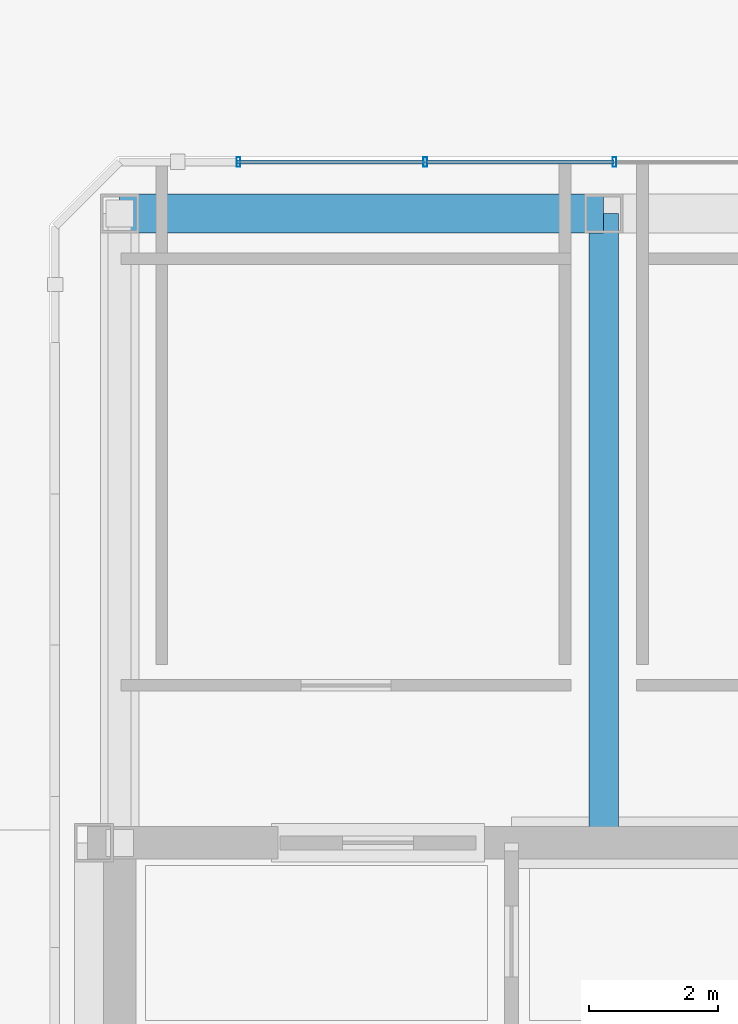
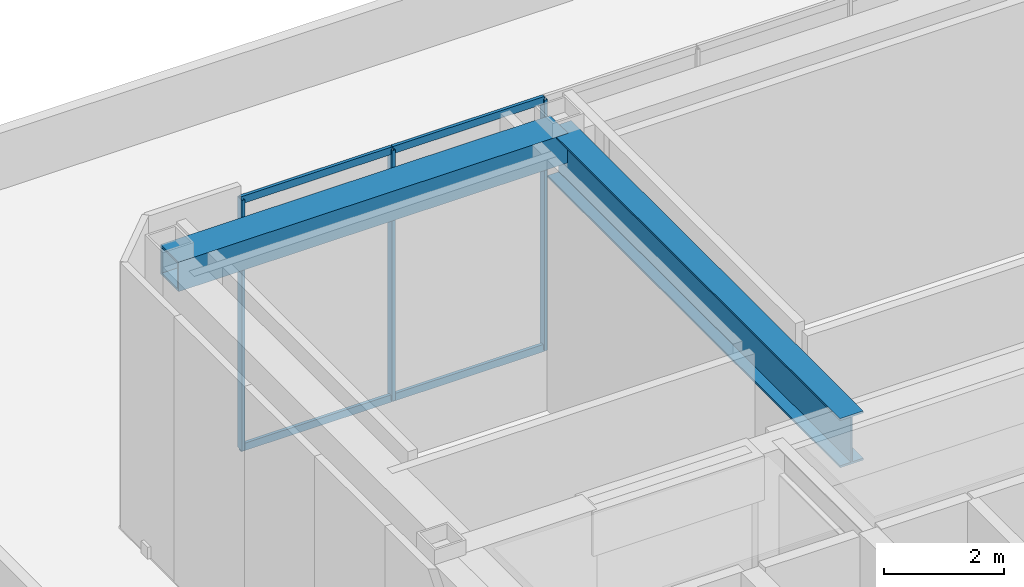
# One storey, part 2 of 11: 7 members, 2 beams, 1 element without a shape of its own.
"""IFC4 building model written with IfcOpenShell, lengths in metres."""

from ifc_helpers import new_model, si_unit, direction, frame, origin, origin_2d, place, context, subcontext, project, spatial, hollow_rectangle, i_section, extrude, material, material_profile, profile_set, type_object, element, aggregate, save


model = new_model("IFC4")

# Units and contexts
model_context = context("Model", 3, precision=1e-05, world=origin(), true_north=direction((0.0, 1.0)))
body_context = subcontext(model_context, "Body", "Model", "MODEL_VIEW")
ifc_project = project(units=[si_unit("LENGTHUNIT", "METRE"), si_unit("AREAUNIT", "SQUARE_METRE"), si_unit("VOLUMEUNIT", "CUBIC_METRE"), si_unit("PLANEANGLEUNIT", "RADIAN"), si_unit("MASSUNIT", "GRAM", prefix="KILO")], contexts=[model_context])

# Site, building, storey
site_placement = place(None, origin())
site = spatial("IfcSite", under=ifc_project, at=site_placement, CompositionType="ELEMENT")
building_placement = place(site_placement, origin())
building = spatial("IfcBuilding", under=site, at=building_placement, Name="Ventersveld Concourse Tower", CompositionType="ELEMENT")
storey_placement = place(building_placement, frame((0.0, 0.0, 366.64990234375)))
storey = spatial("IfcBuildingStorey", under=building, at=storey_placement, Name="L90", CompositionType="ELEMENT", Elevation=366.64990234375)

# Curtain wall, members
ifc_material_1 = material(Name="Anodised aluminium EN AW-6063-T6", Category="aluminium")
curtain_wall_type = type_object("IfcCurtainWallType", Name="CW-CRN-6", PredefinedType="NOTDEFINED", material=ifc_material_1)
curtain_wall_placement = place(storey_placement, origin())
curtain_wall = element("IfcCurtainWall", 1, at=curtain_wall_placement, inside=storey, type_object=curtain_wall_type, Name="L90 L90 Crown North Glazed Curtain Wall", PredefinedType="NOTDEFINED")
ifc_material_profile_1 = material_profile(ifc_material_1, hollow_rectangle(XDim=0.06005859375, YDim=0.14990234375, WallThickness=0.00390625, at=origin_2d()), Name="ALU 150x60x4")
ifc_profile_set_1 = profile_set([ifc_material_profile_1], Name="Anodised aluminium EN AW-6063-T6")
member_type_1 = type_object("IfcMemberType", Name="CWM-150x65", PredefinedType="MULLION", material=ifc_profile_set_1)
member_1_placement = place(storey_placement, frame((21.416748046875, 22.0, 0.0), z_axis=(0.0, 0.0, 1.0), x_axis=(1.0, 0.0, 0.0)))
member_1 = element("IfcMember", 2, at=member_1_placement, type_object=member_type_1, Name="CW-L90-N Mullion 08", PredefinedType="MULLION", context=body_context, shape_type="SweptSolid", body=[
    extrude(hollow_rectangle(XDim=0.06005859375, YDim=0.14990234375, WallThickness=0.00390625, at=origin_2d()), origin(), (0.0, 0.0, 1.0), 5.10009765625),
])
member_2_placement = place(storey_placement, frame((18.4833984375, 22.0, 0.0), z_axis=(0.0, 0.0, 1.0), x_axis=(1.0, 0.0, 0.0)))
member_2 = element("IfcMember", 3, at=member_2_placement, type_object=member_type_1, Name="CW-L90-N Mullion 09", PredefinedType="MULLION", context=body_context, shape_type="SweptSolid", body=[
    extrude(hollow_rectangle(XDim=0.06005859375, YDim=0.14990234375, WallThickness=0.00390625, at=origin_2d()), origin(), (0.0, 0.0, 1.0), 5.10009765625),
])
member_3_placement = place(storey_placement, frame((15.590087890625, 22.0, 0.0), z_axis=(0.0, 0.0, 1.0), x_axis=(1.0, 0.0, 0.0)))
member_3 = element("IfcMember", 4, at=member_3_placement, type_object=member_type_1, Name="CW-L90-N Mullion 10", PredefinedType="MULLION", context=body_context, shape_type="SweptSolid", body=[
    extrude(hollow_rectangle(XDim=0.06005859375, YDim=0.14990234375, WallThickness=0.00390625, at=origin_2d()), origin(), (0.0, 0.0, 1.0), 5.10009765625),
])
ifc_material_profile_2 = material_profile(ifc_material_1, hollow_rectangle(XDim=0.06005859375, YDim=0.14990234375, WallThickness=0.00390625, at=origin_2d()), Name="ALU 150x60x4")
ifc_profile_set_2 = profile_set([ifc_material_profile_2], Name="Anodised aluminium EN AW-6063-T6")
member_type_2 = type_object("IfcMemberType", Name="CWT-150x60", PredefinedType="USERDEFINED", material=ifc_profile_set_2)
member_4_placement = place(storey_placement, frame((21.40673828125, 22.0, 0.030029296875), z_axis=(-1.0, 0.0, 0.0), x_axis=(0.0, -1.0, 0.0)))
member_4 = element("IfcMember", 5, at=member_4_placement, type_object=member_type_2, Name="CW-L90-N Transom 1-08", ObjectType="TRANSOM", PredefinedType="USERDEFINED", context=body_context, shape_type="SweptSolid", body=[
    extrude(hollow_rectangle(XDim=0.06005859375, YDim=0.14990234375, WallThickness=0.00390625, at=origin_2d()), origin(), (0.0, 0.0, 1.0), 2.913330078125),
])
member_5_placement = place(storey_placement, frame((18.473388671875, 22.0, 0.030029296875), z_axis=(-1.0, 0.0, 0.0), x_axis=(0.0, -1.0, 0.0)))
member_5 = element("IfcMember", 6, at=member_5_placement, type_object=member_type_2, Name="CW-L90-N Transom 1-09", ObjectType="TRANSOM", PredefinedType="USERDEFINED", context=body_context, shape_type="SweptSolid", body=[
    extrude(hollow_rectangle(XDim=0.06005859375, YDim=0.14990234375, WallThickness=0.00390625, at=origin_2d()), origin(), (0.0, 0.0, 1.0), 2.9033203125),
])
member_6_placement = place(storey_placement, frame((21.40673828125, 22.0, 5.070068359375), z_axis=(-1.0, 0.0, 0.0), x_axis=(0.0, -1.0, 0.0)))
member_6 = element("IfcMember", 7, at=member_6_placement, type_object=member_type_2, Name="CW-L90-N Transom 2-08", ObjectType="TRANSOM", PredefinedType="USERDEFINED", context=body_context, shape_type="SweptSolid", body=[
    extrude(hollow_rectangle(XDim=0.06005859375, YDim=0.14990234375, WallThickness=0.00390625, at=origin_2d()), origin(), (0.0, 0.0, 1.0), 2.913330078125),
])
member_7_placement = place(storey_placement, frame((18.473388671875, 22.0, 5.070068359375), z_axis=(-1.0, 0.0, 0.0), x_axis=(0.0, -1.0, 0.0)))
member_7 = element("IfcMember", 8, at=member_7_placement, type_object=member_type_2, Name="CW-L90-N Transom 2-09", ObjectType="TRANSOM", PredefinedType="USERDEFINED", context=body_context, shape_type="SweptSolid", body=[
    extrude(hollow_rectangle(XDim=0.06005859375, YDim=0.14990234375, WallThickness=0.00390625, at=origin_2d()), origin(), (0.0, 0.0, 1.0), 2.9033203125),
])
aggregate(curtain_wall, [member_1, member_2, member_3, member_4, member_5, member_6, member_7])

# Beams
ifc_material_2 = material(Name="Structural steel S355ML", Category="steel")
ifc_material_profile_3 = material_profile(ifc_material_2, hollow_rectangle(XDim=0.60009765625, YDim=0.60009765625, WallThickness=0.0400390625, at=origin_2d()), Name="BOX 600x600x40")
ifc_profile_set_3 = profile_set([ifc_material_profile_3], Name="Structural steel S355ML")
beam_type_1 = type_object("IfcBeamType", Name="SPD-BOX600", PredefinedType="SPANDREL", material=ifc_profile_set_3)
beam_1_placement = place(storey_placement, frame((21.25, 21.199951171875, 4.800048828125), z_axis=(-1.0, 0.0, 0.0), x_axis=(0.0, -1.0, 0.0)))
element("IfcBeam", 9, at=beam_1_placement, inside=storey, type_object=beam_type_1, Name="L90 CROWN FRAME Perimeter Ring Beam 6", PredefinedType="SPANDREL", context=body_context, shape_type="SweptSolid", body=[
    extrude(hollow_rectangle(XDim=0.60009765625, YDim=0.60009765625, WallThickness=0.0400390625, at=origin_2d()), origin(), (0.0, 0.0, 1.0), 7.5),
])
ifc_material_3 = material(Name="Structural steel S460ML", Category="steel")
ifc_material_profile_4 = material_profile(ifc_material_3, i_section(OverallWidth=0.449951171875, OverallDepth=1.0, WebThickness=0.02392578125, FlangeThickness=0.0400390625, at=origin_2d()), Name="PG 1000x450x40")
ifc_profile_set_4 = profile_set([ifc_material_profile_4], Name="Structural steel S460ML")
beam_type_2 = type_object("IfcBeamType", Name="TG-PG1000", PredefinedType="USERDEFINED", material=ifc_profile_set_4)
beam_2_placement = place(storey_placement, frame((21.25, 11.449951171875, 4.60009765625), z_axis=(0.0, 1.0, 0.0), x_axis=(-1.0, 0.0, 0.0)))
element("IfcBeam", 10, at=beam_2_placement, inside=storey, type_object=beam_type_2, Name="L90 Crown Interior Girder W", ObjectType="TRANSFER_GIRDER", PredefinedType="USERDEFINED", context=body_context, shape_type="SweptSolid", body=[
    extrude(i_section(OverallWidth=0.449951171875, OverallDepth=1.0, WebThickness=0.02392578125, FlangeThickness=0.0400390625, at=origin_2d()), origin(), (0.0, 0.0, 1.0), 9.75),
])

save(model, "model.ifc")
